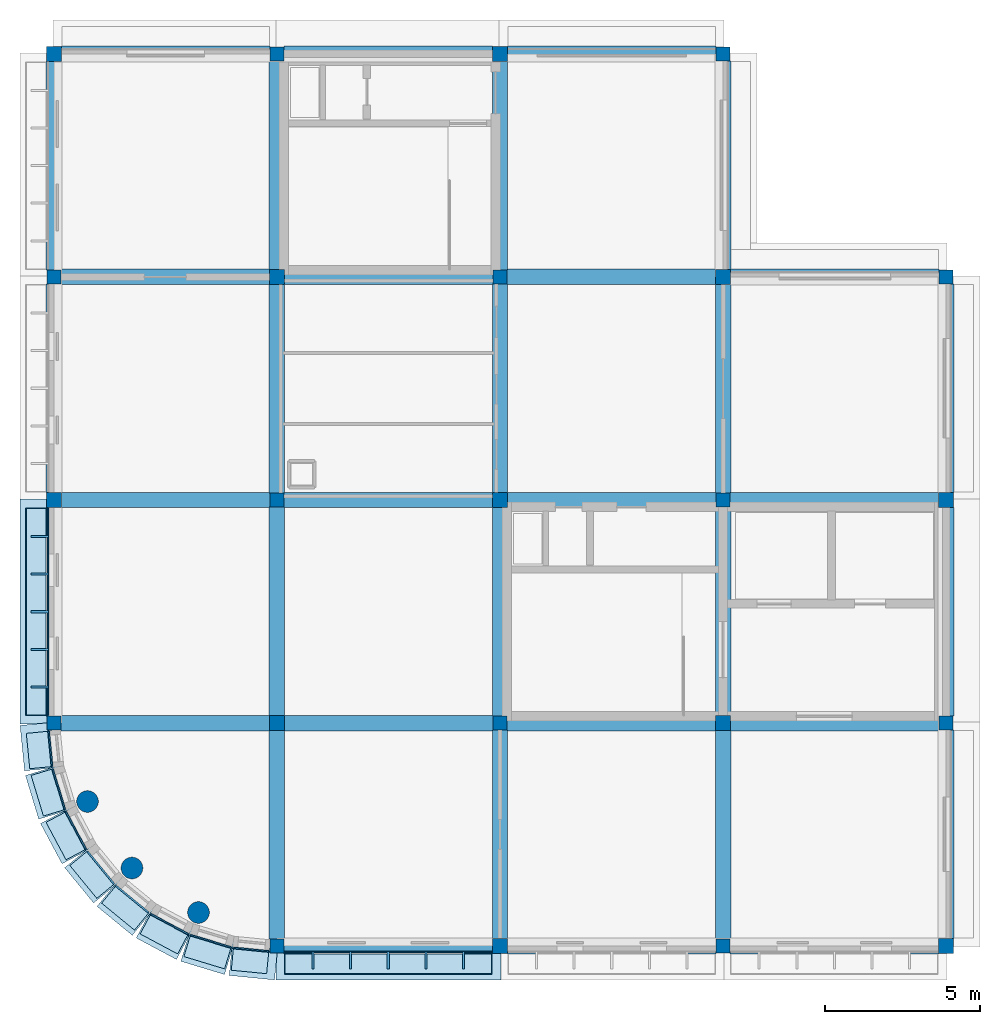
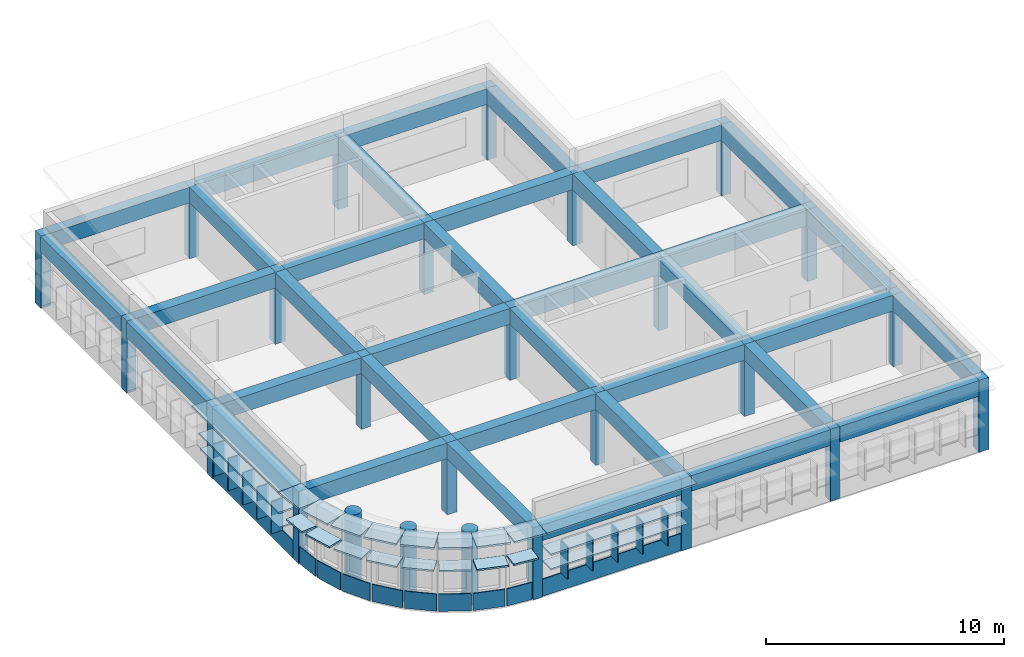
# One storey, part 1 of 6: 42 plates, 36 beams, 26 columns.
"""IFC4 building model written with IfcOpenShell, lengths in metres."""

import ifcopenshell
import ifcopenshell.guid

model = None  # the IFC model being written
_history = None  # IfcOwnerHistory: only IFC2X3 demands one
_inside = {}  # id of a spatial element -> (the spatial element, [elements in it])
_under = {}  # id of a project, library or spatial element -> (it, [spatial elements below it])
_declared = {}  # id of a project -> (the project, [libraries it declares])
_typed = {}  # id of a type object -> (the type object, [elements of that type])
_made_of = {}  # id of a material, layer set ... -> (it, [elements and type objects made of it])


def new_model(schema):
    """Start an empty IFC model of exactly this schema.

    Asked for "IFC4X3", IfcOpenShell would pick the latest addendum, in which some entities
    have other attributes; the version numbers below select the first issue.
    IFC2X3 requires an IfcOwnerHistory on every rooted entity: one is made here for all.
    """
    global model, _history
    if schema == "IFC4X3":
        model = ifcopenshell.file(schema_version=(4, 3, 0, 0))
    else:
        model = ifcopenshell.file(schema=schema)
    _inside.clear()
    _under.clear()
    _declared.clear()
    _typed.clear()
    _made_of.clear()
    _history = None
    if model.schema == "IFC2X3":
        org = make("IfcOrganization", Name="unknown")
        user = make(
            "IfcPersonAndOrganization",
            ThePerson=make("IfcPerson", FamilyName="unknown"),
            TheOrganization=org,
        )
        app = make(
            "IfcApplication",
            ApplicationDeveloper=org,
            Version="unknown",
            ApplicationFullName="unknown",
            ApplicationIdentifier="unknown",
        )
        _history = make(
            "IfcOwnerHistory",
            OwningUser=user,
            OwningApplication=app,
            ChangeAction="ADDED",
            CreationDate=0,
        )
    return model


def make(cls, **values):
    """One entity of the class cls with the attributes given. An attribute that is None is left unset."""
    return model.create_entity(
        cls, **{name: value for name, value in values.items() if value is not None}
    )


def rooted(cls, **values):
    """An entity with a GlobalId (a new one), such as an element, a storey or a relation."""
    return make(cls, GlobalId=ifcopenshell.guid.new(), OwnerHistory=_history, **values)


def si_unit(unit_type, name, prefix=None):
    """IfcSIUnit, for example si_unit("LENGTHUNIT", "METRE", prefix="MILLI")."""
    return make("IfcSIUnit", UnitType=unit_type, Prefix=prefix, Name=name)


def assignment(units):
    """IfcUnitAssignment: the units of a project."""
    return None if units is None else make("IfcUnitAssignment", Units=units)


def point(xyz):
    """IfcCartesianPoint."""
    return None if xyz is None else make("IfcCartesianPoint", Coordinates=xyz)


def direction(xyz):
    """IfcDirection."""
    return None if xyz is None else make("IfcDirection", DirectionRatios=xyz)


def frame(location, z_axis=None, x_axis=None):
    """IfcAxis2Placement3D, a coordinate frame: its origin and axes. An axis left out is left unset."""
    return make(
        "IfcAxis2Placement3D",
        Location=point(location),
        Axis=direction(z_axis),
        RefDirection=direction(x_axis),
    )


def frame_2d(location, x_axis=None):
    """IfcAxis2Placement2D, a coordinate frame in the plane: its origin and x axis."""
    return make(
        "IfcAxis2Placement2D", Location=point(location), RefDirection=direction(x_axis)
    )


def origin():
    """The frame at (0, 0, 0) with its axes left unset."""
    return frame((0.0, 0.0, 0.0))


def origin_2d():
    """The frame at (0, 0) in the plane with its x axis left unset."""
    return frame_2d((0.0, 0.0))


def place(relative_to, where):
    """IfcLocalPlacement: puts the frame where relative to a parent placement (None: the world)."""
    return make(
        "IfcLocalPlacement", PlacementRelTo=relative_to, RelativePlacement=where
    )


def context(
    kind, dimensions, precision=None, world=None, true_north=None, identifier=None
):
    """IfcGeometricRepresentationContext, for example the 3D "Model" context."""
    return make(
        "IfcGeometricRepresentationContext",
        ContextIdentifier=identifier,
        ContextType=kind,
        CoordinateSpaceDimension=dimensions,
        Precision=precision,
        WorldCoordinateSystem=world,
        TrueNorth=true_north,
    )


def subcontext(parent, identifier, kind, view, scale=None):
    """IfcGeometricRepresentationSubContext, for example "Body" below "Model"."""
    return make(
        "IfcGeometricRepresentationSubContext",
        ContextIdentifier=identifier,
        ContextType=kind,
        ParentContext=parent,
        TargetScale=scale,
        TargetView=view,
    )


def project(units=None, contexts=None):
    """IfcProject with its units and contexts."""
    return rooted(
        "IfcProject",
        Name="project",
        RepresentationContexts=contexts,
        UnitsInContext=assignment(units),
    )


def spatial(cls, under=None, at=None, **own):
    """A site, building, storey or space (cls), placed at a placement, below another one or the project."""
    s = rooted(cls, ObjectPlacement=at, **own)
    if under is not None:
        _under.setdefault(under.id(), (under, []))[1].append(s)
    return s


def profile(cls, at=None, kind="AREA", **sizes):
    """A parametric profile (cls). Its sizes go by their IFC names, for example OverallWidth=200.0."""
    return make(cls, ProfileType=kind, Position=at, **sizes)


def rectangle(**sizes):
    """IfcRectangleProfileDef."""
    return profile("IfcRectangleProfileDef", **sizes)


def circle(**sizes):
    """IfcCircleProfileDef."""
    return profile("IfcCircleProfileDef", **sizes)


def extrude(swept, where, along, depth):
    """IfcExtrudedAreaSolid: the profile swept, set in the frame where, extruded along a direction by depth."""
    return make(
        "IfcExtrudedAreaSolid",
        SweptArea=swept,
        Position=where,
        ExtrudedDirection=direction(along),
        Depth=depth,
    )


def shape(context_of_items, identifier, shape_type, items):
    """IfcShapeRepresentation: the items that make up one representation, for example the "Body"."""
    return make(
        "IfcShapeRepresentation",
        ContextOfItems=context_of_items,
        RepresentationIdentifier=identifier,
        RepresentationType=shape_type,
        Items=items,
    )


def material(Name=None, Category=None):
    """IfcMaterial."""
    return make("IfcMaterial", Name=Name, Category=Category)


def layer(
    of_material, thickness, ventilated=None, Name=None, Category=None, Priority=None
):
    """IfcMaterialLayer: one layer of a wall or slab, of a material (None: an air gap)."""
    return make(
        "IfcMaterialLayer",
        Material=of_material,
        LayerThickness=thickness,
        IsVentilated=ventilated,
        Name=Name,
        Category=Category,
        Priority=Priority,
    )


def layer_set(layers, Name=None):
    """IfcMaterialLayerSet."""
    return make("IfcMaterialLayerSet", MaterialLayers=layers, LayerSetName=Name)


def material_profile(
    of_material, cross_section, Name=None, Category=None, Priority=None
):
    """IfcMaterialProfile: a cross section and its material."""
    return make(
        "IfcMaterialProfile",
        Name=Name,
        Material=of_material,
        Profile=cross_section,
        Priority=Priority,
        Category=Category,
    )


def profile_set(profiles, Name=None, composite=None):
    """IfcMaterialProfileSet."""
    return make(
        "IfcMaterialProfileSet",
        Name=Name,
        MaterialProfiles=profiles,
        CompositeProfile=composite,
    )


def made_of(thing, what):
    """Note that an element or type object is made of a material, layer set ...; save() writes the relation."""
    if what is not None:
        _made_of.setdefault(what.id(), (what, []))[1].append(thing)
    return thing


def type_object(cls, material=None, **own):
    """A type object (cls), such as IfcWallType, which elements share."""
    return made_of(rooted(cls, **own), material)


def element(
    cls,
    number,
    at=None,
    inside=None,
    cuts=None,
    type_object=None,
    material=None,
    context=None,
    identifier="Body",
    shape_type=None,
    held_by="IfcProductDefinitionShape",
    body=None,
    shapes=None,
    **own,
):
    """One element of the class cls, such as IfcWall. Its Tag is "e" and its number.

    at: its placement. inside: the storey or other place that contains it. cuts: it is an
    opening in that element (IfcRelVoidsElement). A single representation is given by context,
    identifier, shape_type and body (its items); several are given by shapes. held_by: the class
    of the entity that holds the representations. save() writes the other relations.
    """
    e = rooted(cls, Tag="e%d" % number, ObjectPlacement=at, **own)
    if body is not None:
        shapes = [shape(context, identifier, shape_type, body)]
    if shapes is not None:
        e.Representation = make(held_by, Representations=shapes)
    if inside is not None:
        _inside.setdefault(inside.id(), (inside, []))[1].append(e)
    if cuts is not None:
        rooted(
            "IfcRelVoidsElement", RelatingBuildingElement=cuts, RelatedOpeningElement=e
        )
    if type_object is not None:
        _typed.setdefault(type_object.id(), (type_object, []))[1].append(e)
    return made_of(e, material)


def aggregate(whole, parts):
    """IfcRelAggregates: a whole, such as a stair, and the parts it consists of."""
    return rooted("IfcRelAggregates", RelatingObject=whole, RelatedObjects=parts)


def save(model, path):
    """Write the relations noted so far, then the file.

    IfcRelAggregates (storeys below a building ...), IfcRelContainedInSpatialStructure (elements
    in a storey), IfcRelDefinesByType, IfcRelAssociatesMaterial and IfcRelDeclares: one each for
    every whole, place, type object, material and project.
    """
    for whole, parts in _under.values():
        aggregate(whole, parts)
    for where, things in _inside.values():
        rooted(
            "IfcRelContainedInSpatialStructure",
            RelatedElements=things,
            RelatingStructure=where,
        )
    for kind, things in _typed.values():
        rooted("IfcRelDefinesByType", RelatedObjects=things, RelatingType=kind)
    for what, things in _made_of.values():
        rooted("IfcRelAssociatesMaterial", RelatedObjects=things, RelatingMaterial=what)
    for by, libraries in _declared.values():
        rooted("IfcRelDeclares", RelatingContext=by, RelatedDefinitions=libraries)
    model.write(path)


model = new_model("IFC4")

# Units and contexts
model_context = context("Model", 3, precision=1e-05, world=origin(), true_north=direction((0.0, 1.0)))
body_context = subcontext(model_context, "Body", "Model", "MODEL_VIEW")
ifc_project = project(units=[si_unit("LENGTHUNIT", "METRE"), si_unit("AREAUNIT", "SQUARE_METRE"), si_unit("VOLUMEUNIT", "CUBIC_METRE"), si_unit("PLANEANGLEUNIT", "RADIAN"), si_unit("MASSUNIT", "GRAM", prefix="KILO")], contexts=[model_context])

# Site, building, storey
site_placement = place(None, origin())
site = spatial("IfcSite", under=ifc_project, at=site_placement, CompositionType="ELEMENT")
building_placement = place(site_placement, origin())
building = spatial("IfcBuilding", under=site, at=building_placement, Name="Thalmaran Polytechnic", CompositionType="ELEMENT")
storey_placement = place(building_placement, frame((0.0, 0.0, 34.5)))
storey = spatial("IfcBuildingStorey", under=building, at=storey_placement, Name="L08", CompositionType="ELEMENT", Elevation=34.5)

# Columns
ifc_material_1 = material(Name="Concrete C40/50", Category="concrete")
ifc_material_profile_1 = material_profile(ifc_material_1, rectangle(XDim=0.449951171875, YDim=0.449951171875, at=origin_2d()), Name="RC 450x450")
ifc_profile_set_1 = profile_set([ifc_material_profile_1], Name="Concrete C40/50")
column_type_1 = type_object("IfcColumnType", Name="COL-C10", PredefinedType="COLUMN", material=ifc_profile_set_1)
for number, where, z_axis, x_axis, name in (
    (1, (0.0, 7.199951171875, 0.0), (0.0, 0.0, 1.0), (1.0, 0.0, 0.0), "Column C10 L08 (0,1)"),
    (2, (0.0, 21.60009765625, 0.0), (0.0, 0.0, 1.0), (1.0, 0.0, 0.0), "Column C10 L08 (0,3)"),
    (3, (7.199951171875, 0.0, 0.0), (0.0, 0.0, 1.0), (1.0, 0.0, 0.0), "Column C10 L08 (1,0)"),
    (4, (7.199951171875, 14.39990234375, 0.0), (0.0, 0.0, 1.0), (1.0, 0.0, 0.0), "Column C10 L08 (1,2)"),
    (5, (7.199951171875, 28.800048828125, 0.0), (0.0, 0.0, 1.0), (1.0, 0.0, 0.0), "Column C10 L08 (1,4)"),
    (6, (14.39990234375, 7.199951171875, 0.0), (0.0, 0.0, 1.0), (1.0, 0.0, 0.0), "Column C10 L08 (2,1)"),
    (7, (14.39990234375, 21.60009765625, 0.0), (0.0, 0.0, 1.0), (1.0, 0.0, 0.0), "Column C10 L08 (2,3)"),
    (8, (21.60009765625, 0.0, 0.0), (0.0, 0.0, 1.0), (1.0, 0.0, 0.0), "Column C10 L08 (3,0)"),
    (9, (21.60009765625, 14.39990234375, 0.0), (0.0, 0.0, 1.0), (1.0, 0.0, 0.0), "Column C10 L08 (3,2)"),
    (10, (21.60009765625, 28.800048828125, 0.0), (0.0, 0.0, 1.0), (1.0, 0.0, 0.0), "Column C10 L08 (3,4)"),
    (11, (28.800048828125, 7.199951171875, 0.0), (0.0, 0.0, 1.0), (1.0, 0.0, 0.0), "Column C10 L08 (4,1)"),
    (12, (28.800048828125, 21.60009765625, 0.0), (0.0, 0.0, 1.0), (1.0, 0.0, 0.0), "Column C10 L08 (4,3)"),
):
    element("IfcColumn", number, at=place(storey_placement, frame(where, z_axis=z_axis, x_axis=x_axis)), inside=storey, type_object=column_type_1, Name=name, PredefinedType="COLUMN", context=body_context, shape_type="SweptSolid", body=[
        extrude(rectangle(XDim=0.449951171875, YDim=0.449951171875, at=origin_2d()), origin(), (0.0, 0.0, 1.0), 3.695068359375),
    ])
ifc_material_profile_2 = material_profile(ifc_material_1, circle(Radius=0.35009765625, at=origin_2d()), Name="RC 700 DIA")
ifc_profile_set_2 = profile_set([ifc_material_profile_2], Name="Concrete C40/50")
column_type_2 = type_object("IfcColumnType", Name="COL-C15", PredefinedType="COLUMN", material=ifc_profile_set_2)
for number, where, z_axis, x_axis, name in (
    (13, (1.083984375, 4.666748046875, 0.0), (0.0, 0.0, 1.0), (1.0, 0.0, 0.0), "Prow Column SWP1 L08"),
    (14, (2.51904296875, 2.51904296875, 0.0), (0.0, 0.0, 1.0), (1.0, 0.0, 0.0), "Prow Column SWP2 L08"),
    (15, (4.666748046875, 1.083984375, 0.0), (0.0, 0.0, 1.0), (1.0, 0.0, 0.0), "Prow Column SWP3 L08"),
):
    element("IfcColumn", number, at=place(storey_placement, frame(where, z_axis=z_axis, x_axis=x_axis)), inside=storey, type_object=column_type_2, Name=name, PredefinedType="COLUMN", context=body_context, shape_type="SweptSolid", body=[
        extrude(circle(Radius=0.35009765625, at=origin_2d()), origin(), (0.0, 0.0, 1.0), 3.695068359375),
    ])
ifc_material_profile_3 = material_profile(ifc_material_1, rectangle(XDim=0.47998046875, YDim=0.47998046875, at=origin_2d()), Name="RC 480x480")
ifc_profile_set_3 = profile_set([ifc_material_profile_3], Name="Concrete C40/50")
column_type_3 = type_object("IfcColumnType", Name="COL-ZC09", PredefinedType="COLUMN", material=ifc_profile_set_3)
for number, where, z_axis, x_axis, name in (
    (16, (0.0, 14.39990234375, 0.0), (0.0, 0.0, 1.0), (1.0, 0.0, 0.0), "Column ZC09 L08 (0,2)"),
    (17, (0.0, 28.800048828125, 0.0), (0.0, 0.0, 1.0), (1.0, 0.0, 0.0), "Column ZC09 L08 (0,4)"),
    (18, (7.199951171875, 7.199951171875, 0.0), (0.0, 0.0, 1.0), (1.0, 0.0, 0.0), "Column ZC09 L08 (1,1)"),
    (19, (7.199951171875, 21.60009765625, 0.0), (0.0, 0.0, 1.0), (1.0, 0.0, 0.0), "Column ZC09 L08 (1,3)"),
    (20, (14.39990234375, 0.0, 0.0), (0.0, 0.0, 1.0), (1.0, 0.0, 0.0), "Column ZC09 L08 (2,0)"),
    (21, (14.39990234375, 14.39990234375, 0.0), (0.0, 0.0, 1.0), (1.0, 0.0, 0.0), "Column ZC09 L08 (2,2)"),
    (22, (14.39990234375, 28.800048828125, 0.0), (0.0, 0.0, 1.0), (1.0, 0.0, 0.0), "Column ZC09 L08 (2,4)"),
    (23, (21.60009765625, 7.199951171875, 0.0), (0.0, 0.0, 1.0), (1.0, 0.0, 0.0), "Column ZC09 L08 (3,1)"),
    (24, (21.60009765625, 21.60009765625, 0.0), (0.0, 0.0, 1.0), (1.0, 0.0, 0.0), "Column ZC09 L08 (3,3)"),
    (25, (28.800048828125, 0.0, 0.0), (0.0, 0.0, 1.0), (1.0, 0.0, 0.0), "Column ZC09 L08 (4,0)"),
    (26, (28.800048828125, 14.39990234375, 0.0), (0.0, 0.0, 1.0), (1.0, 0.0, 0.0), "Column ZC09 L08 (4,2)"),
):
    element("IfcColumn", number, at=place(storey_placement, frame(where, z_axis=z_axis, x_axis=x_axis)), inside=storey, type_object=column_type_3, Name=name, PredefinedType="COLUMN", context=body_context, shape_type="SweptSolid", body=[
        extrude(rectangle(XDim=0.47998046875, YDim=0.47998046875, at=origin_2d()), origin(), (0.0, 0.0, 1.0), 3.695068359375),
    ])

# Beams
ifc_material_profile_4 = material_profile(ifc_material_1, rectangle(XDim=0.5, YDim=0.804931640625, at=origin_2d()), Name="RC 500x805")
ifc_profile_set_4 = profile_set([ifc_material_profile_4], Name="Concrete C40/50")
beam_type = type_object("IfcBeamType", Name="BM-SP03", PredefinedType="SPANDREL", material=ifc_profile_set_4)
for number, where, z_axis, x_axis, name in (
    (27, (0.22509765625, 7.199951171875, 3.29248046875), (1.0, 0.0, 0.0), (0.0, 1.0, 0.0), "Belvedere Roof Beam X(0,1)"),
    (28, (0.0, 7.425048828125, 3.29248046875), (0.0, 1.0, 0.0), (-1.0, 0.0, 0.0), "Belvedere Roof Beam Y(0,1)"),
):
    element("IfcBeam", number, at=place(storey_placement, frame(where, z_axis=z_axis, x_axis=x_axis)), inside=storey, type_object=beam_type, Name=name, PredefinedType="SPANDREL", context=body_context, shape_type="SweptSolid", body=[
        extrude(rectangle(XDim=0.5, YDim=0.804931640625, at=origin_2d()), origin(), (0.0, 0.0, 1.0), 6.73486328125),
    ])
for number, where, z_axis, x_axis, name in (
    (29, (0.239990234375, 14.39990234375, 3.29248046875), (1.0, 0.0, 0.0), (0.0, 1.0, 0.0), "Belvedere Roof Beam X(0,2)"),
    (30, (0.0, 14.639892578125, 3.29248046875), (0.0, 1.0, 0.0), (-1.0, 0.0, 0.0), "Belvedere Roof Beam Y(0,2)"),
):
    element("IfcBeam", number, at=place(storey_placement, frame(where, z_axis=z_axis, x_axis=x_axis)), inside=storey, type_object=beam_type, Name=name, PredefinedType="SPANDREL", context=body_context, shape_type="SweptSolid", body=[
        extrude(rectangle(XDim=0.5, YDim=0.804931640625, at=origin_2d()), origin(), (0.0, 0.0, 1.0), 6.735107421875),
    ])
beam_1_placement = place(storey_placement, frame((0.22509765625, 21.60009765625, 3.29248046875), z_axis=(1.0, 0.0, 0.0), x_axis=(0.0, 1.0, 0.0)))
element("IfcBeam", 31, at=beam_1_placement, inside=storey, type_object=beam_type, Name="Belvedere Roof Beam X(0,3)", PredefinedType="SPANDREL", context=body_context, shape_type="SweptSolid", body=[
    extrude(rectangle(XDim=0.5, YDim=0.804931640625, at=origin_2d()), origin(), (0.0, 0.0, 1.0), 6.73486328125),
])
for number, where, z_axis, x_axis, name in (
    (32, (0.0, 21.824951171875, 3.29248046875), (0.0, 1.0, 0.0), (-1.0, 0.0, 0.0), "Belvedere Roof Beam Y(0,3)"),
    (33, (0.239990234375, 28.800048828125, 3.29248046875), (1.0, 0.0, 0.0), (0.0, 1.0, 0.0), "Belvedere Roof Beam X(0,4)"),
):
    element("IfcBeam", number, at=place(storey_placement, frame(where, z_axis=z_axis, x_axis=x_axis)), inside=storey, type_object=beam_type, Name=name, PredefinedType="SPANDREL", context=body_context, shape_type="SweptSolid", body=[
        extrude(rectangle(XDim=0.5, YDim=0.804931640625, at=origin_2d()), origin(), (0.0, 0.0, 1.0), 6.735107421875),
    ])
for number, where, z_axis, x_axis, name in (
    (34, (7.425048828125, 0.0, 3.29248046875), (1.0, 0.0, 0.0), (0.0, 1.0, 0.0), "Belvedere Roof Beam X(1,0)"),
    (35, (7.199951171875, 0.22509765625, 3.29248046875), (0.0, 1.0, 0.0), (-1.0, 0.0, 0.0), "Belvedere Roof Beam Y(1,0)"),
):
    element("IfcBeam", number, at=place(storey_placement, frame(where, z_axis=z_axis, x_axis=x_axis)), inside=storey, type_object=beam_type, Name=name, PredefinedType="SPANDREL", context=body_context, shape_type="SweptSolid", body=[
        extrude(rectangle(XDim=0.5, YDim=0.804931640625, at=origin_2d()), origin(), (0.0, 0.0, 1.0), 6.73486328125),
    ])
for number, where, z_axis, x_axis, name in (
    (36, (7.43994140625, 7.199951171875, 3.29248046875), (1.0, 0.0, 0.0), (0.0, 1.0, 0.0), "Belvedere Roof Beam X(1,1)"),
    (37, (7.199951171875, 7.43994140625, 3.29248046875), (0.0, 1.0, 0.0), (-1.0, 0.0, 0.0), "Belvedere Roof Beam Y(1,1)"),
):
    element("IfcBeam", number, at=place(storey_placement, frame(where, z_axis=z_axis, x_axis=x_axis)), inside=storey, type_object=beam_type, Name=name, PredefinedType="SPANDREL", context=body_context, shape_type="SweptSolid", body=[
        extrude(rectangle(XDim=0.5, YDim=0.804931640625, at=origin_2d()), origin(), (0.0, 0.0, 1.0), 6.735107421875),
    ])
beam_2_placement = place(storey_placement, frame((7.425048828125, 14.39990234375, 3.29248046875), z_axis=(1.0, 0.0, 0.0), x_axis=(0.0, 1.0, 0.0)))
element("IfcBeam", 38, at=beam_2_placement, inside=storey, type_object=beam_type, Name="Belvedere Roof Beam X(1,2)", PredefinedType="SPANDREL", context=body_context, shape_type="SweptSolid", body=[
    extrude(rectangle(XDim=0.5, YDim=0.804931640625, at=origin_2d()), origin(), (0.0, 0.0, 1.0), 6.73486328125),
])
for number, where, z_axis, x_axis, name in (
    (39, (7.199951171875, 14.625, 3.29248046875), (0.0, 1.0, 0.0), (-1.0, 0.0, 0.0), "Belvedere Roof Beam Y(1,2)"),
    (40, (7.43994140625, 21.60009765625, 3.29248046875), (1.0, 0.0, 0.0), (0.0, 1.0, 0.0), "Belvedere Roof Beam X(1,3)"),
):
    element("IfcBeam", number, at=place(storey_placement, frame(where, z_axis=z_axis, x_axis=x_axis)), inside=storey, type_object=beam_type, Name=name, PredefinedType="SPANDREL", context=body_context, shape_type="SweptSolid", body=[
        extrude(rectangle(XDim=0.5, YDim=0.804931640625, at=origin_2d()), origin(), (0.0, 0.0, 1.0), 6.735107421875),
    ])
for number, where, z_axis, x_axis, name in (
    (41, (7.199951171875, 21.840087890625, 3.29248046875), (0.0, 1.0, 0.0), (-1.0, 0.0, 0.0), "Belvedere Roof Beam Y(1,3)"),
    (42, (7.425048828125, 28.800048828125, 3.29248046875), (1.0, 0.0, 0.0), (0.0, 1.0, 0.0), "Belvedere Roof Beam X(1,4)"),
):
    element("IfcBeam", number, at=place(storey_placement, frame(where, z_axis=z_axis, x_axis=x_axis)), inside=storey, type_object=beam_type, Name=name, PredefinedType="SPANDREL", context=body_context, shape_type="SweptSolid", body=[
        extrude(rectangle(XDim=0.5, YDim=0.804931640625, at=origin_2d()), origin(), (0.0, 0.0, 1.0), 6.73486328125),
    ])
for number, where, z_axis, x_axis, name in (
    (43, (14.639892578125, 0.0, 3.29248046875), (1.0, 0.0, 0.0), (0.0, 1.0, 0.0), "Belvedere Roof Beam X(2,0)"),
    (44, (14.39990234375, 0.239990234375, 3.29248046875), (0.0, 1.0, 0.0), (-1.0, 0.0, 0.0), "Belvedere Roof Beam Y(2,0)"),
    (45, (14.625, 7.199951171875, 3.29248046875), (1.0, 0.0, 0.0), (0.0, 1.0, 0.0), "Belvedere Roof Beam X(2,1)"),
):
    element("IfcBeam", number, at=place(storey_placement, frame(where, z_axis=z_axis, x_axis=x_axis)), inside=storey, type_object=beam_type, Name=name, PredefinedType="SPANDREL", context=body_context, shape_type="SweptSolid", body=[
        extrude(rectangle(XDim=0.5, YDim=0.804931640625, at=origin_2d()), origin(), (0.0, 0.0, 1.0), 6.735107421875),
    ])
beam_3_placement = place(storey_placement, frame((14.39990234375, 7.425048828125, 3.29248046875), z_axis=(0.0, 1.0, 0.0), x_axis=(-1.0, 0.0, 0.0)))
element("IfcBeam", 46, at=beam_3_placement, inside=storey, type_object=beam_type, Name="Belvedere Roof Beam Y(2,1)", PredefinedType="SPANDREL", context=body_context, shape_type="SweptSolid", body=[
    extrude(rectangle(XDim=0.5, YDim=0.804931640625, at=origin_2d()), origin(), (0.0, 0.0, 1.0), 6.73486328125),
])
for number, where, z_axis, x_axis, name in (
    (47, (14.639892578125, 14.39990234375, 3.29248046875), (1.0, 0.0, 0.0), (0.0, 1.0, 0.0), "Belvedere Roof Beam X(2,2)"),
    (48, (14.39990234375, 14.639892578125, 3.29248046875), (0.0, 1.0, 0.0), (-1.0, 0.0, 0.0), "Belvedere Roof Beam Y(2,2)"),
    (49, (14.625, 21.60009765625, 3.29248046875), (1.0, 0.0, 0.0), (0.0, 1.0, 0.0), "Belvedere Roof Beam X(2,3)"),
    (50, (14.39990234375, 21.824951171875, 3.29248046875), (0.0, 1.0, 0.0), (-1.0, 0.0, 0.0), "Belvedere Roof Beam Y(2,3)"),
    (51, (14.639892578125, 28.800048828125, 3.29248046875), (1.0, 0.0, 0.0), (0.0, 1.0, 0.0), "Belvedere Roof Beam X(2,4)"),
    (52, (21.824951171875, 0.0, 3.29248046875), (1.0, 0.0, 0.0), (0.0, 1.0, 0.0), "Belvedere Roof Beam X(3,0)"),
):
    element("IfcBeam", number, at=place(storey_placement, frame(where, z_axis=z_axis, x_axis=x_axis)), inside=storey, type_object=beam_type, Name=name, PredefinedType="SPANDREL", context=body_context, shape_type="SweptSolid", body=[
        extrude(rectangle(XDim=0.5, YDim=0.804931640625, at=origin_2d()), origin(), (0.0, 0.0, 1.0), 6.735107421875),
    ])
for number, where, z_axis, x_axis, name in (
    (53, (21.60009765625, 0.22509765625, 3.29248046875), (0.0, 1.0, 0.0), (-1.0, 0.0, 0.0), "Belvedere Roof Beam Y(3,0)"),
    (54, (21.840087890625, 7.199951171875, 3.29248046875), (1.0, 0.0, 0.0), (0.0, 1.0, 0.0), "Belvedere Roof Beam X(3,1)"),
):
    element("IfcBeam", number, at=place(storey_placement, frame(where, z_axis=z_axis, x_axis=x_axis)), inside=storey, type_object=beam_type, Name=name, PredefinedType="SPANDREL", context=body_context, shape_type="SweptSolid", body=[
        extrude(rectangle(XDim=0.5, YDim=0.804931640625, at=origin_2d()), origin(), (0.0, 0.0, 1.0), 6.73486328125),
    ])
for number, where, z_axis, x_axis, name in (
    (55, (21.60009765625, 7.43994140625, 3.29248046875), (0.0, 1.0, 0.0), (-1.0, 0.0, 0.0), "Belvedere Roof Beam Y(3,1)"),
    (56, (21.824951171875, 14.39990234375, 3.29248046875), (1.0, 0.0, 0.0), (0.0, 1.0, 0.0), "Belvedere Roof Beam X(3,2)"),
    (57, (21.60009765625, 14.625, 3.29248046875), (0.0, 1.0, 0.0), (-1.0, 0.0, 0.0), "Belvedere Roof Beam Y(3,2)"),
):
    element("IfcBeam", number, at=place(storey_placement, frame(where, z_axis=z_axis, x_axis=x_axis)), inside=storey, type_object=beam_type, Name=name, PredefinedType="SPANDREL", context=body_context, shape_type="SweptSolid", body=[
        extrude(rectangle(XDim=0.5, YDim=0.804931640625, at=origin_2d()), origin(), (0.0, 0.0, 1.0), 6.735107421875),
    ])
for number, where, z_axis, x_axis, name in (
    (58, (21.840087890625, 21.60009765625, 3.29248046875), (1.0, 0.0, 0.0), (0.0, 1.0, 0.0), "Belvedere Roof Beam X(3,3)"),
    (59, (21.60009765625, 21.840087890625, 3.29248046875), (0.0, 1.0, 0.0), (-1.0, 0.0, 0.0), "Belvedere Roof Beam Y(3,3)"),
):
    element("IfcBeam", number, at=place(storey_placement, frame(where, z_axis=z_axis, x_axis=x_axis)), inside=storey, type_object=beam_type, Name=name, PredefinedType="SPANDREL", context=body_context, shape_type="SweptSolid", body=[
        extrude(rectangle(XDim=0.5, YDim=0.804931640625, at=origin_2d()), origin(), (0.0, 0.0, 1.0), 6.73486328125),
    ])
beam_4_placement = place(storey_placement, frame((28.800048828125, 0.239990234375, 3.29248046875), z_axis=(0.0, 1.0, 0.0), x_axis=(-1.0, 0.0, 0.0)))
element("IfcBeam", 60, at=beam_4_placement, inside=storey, type_object=beam_type, Name="Belvedere Roof Beam Y(4,0)", PredefinedType="SPANDREL", context=body_context, shape_type="SweptSolid", body=[
    extrude(rectangle(XDim=0.5, YDim=0.804931640625, at=origin_2d()), origin(), (0.0, 0.0, 1.0), 6.735107421875),
])
beam_5_placement = place(storey_placement, frame((28.800048828125, 7.425048828125, 3.29248046875), z_axis=(0.0, 1.0, 0.0), x_axis=(-1.0, 0.0, 0.0)))
element("IfcBeam", 61, at=beam_5_placement, inside=storey, type_object=beam_type, Name="Belvedere Roof Beam Y(4,1)", PredefinedType="SPANDREL", context=body_context, shape_type="SweptSolid", body=[
    extrude(rectangle(XDim=0.5, YDim=0.804931640625, at=origin_2d()), origin(), (0.0, 0.0, 1.0), 6.73486328125),
])
beam_6_placement = place(storey_placement, frame((28.800048828125, 14.639892578125, 3.29248046875), z_axis=(0.0, 1.0, 0.0), x_axis=(-1.0, 0.0, 0.0)))
element("IfcBeam", 62, at=beam_6_placement, inside=storey, type_object=beam_type, Name="Belvedere Roof Beam Y(4,2)", PredefinedType="SPANDREL", context=body_context, shape_type="SweptSolid", body=[
    extrude(rectangle(XDim=0.5, YDim=0.804931640625, at=origin_2d()), origin(), (0.0, 0.0, 1.0), 6.735107421875),
])

# Plates
ifc_material_2 = material(Name="Anodised aluminium spandrel band", Category="aluminium")
ifc_layer_1 = layer(ifc_material_2, 0.054931640625, Name="Anodised aluminium spandrel band")
ifc_layer_set_1 = layer_set([ifc_layer_1], Name="Anodised aluminium spandrel band")
plate_type_1 = type_object("IfcPlateType", Name="PT-BD01", PredefinedType="SHEET", material=ifc_layer_set_1)
for number, where, z_axis, x_axis, name in (
    (63, (2.53076171875, 1.510498046875, 0.02001953125), (0.0, 0.0, 1.0), (-0.773010453363, 0.634393284164, 0.0), "Streamline Horizontal Spandrel Band L08-001"),
    (64, (1.510498046875, 2.53076171875, 0.02001953125), (0.0, 0.0, 1.0), (-0.634393284164, 0.773010453363, 0.0), "Streamline Horizontal Spandrel Band L08-002"),
    (65, (0.708740234375, 3.73046875, 0.02001953125), (0.0, 0.0, 1.0), (-0.471396736826, 0.881921264348, 0.0), "Streamline Horizontal Spandrel Band L08-003"),
    (66, (0.156494140625, 5.0634765625, 0.02001953125), (0.0, 0.0, 1.0), (-0.290284677254, 0.956940335732, 0.0), "Streamline Horizontal Spandrel Band L08-004"),
):
    element("IfcPlate", number, at=place(storey_placement, frame(where, z_axis=z_axis, x_axis=x_axis)), inside=storey, type_object=plate_type_1, Name=name, PredefinedType="SHEET", context=body_context, shape_type="SweptSolid", body=[
        extrude(rectangle(XDim=1.371337890625, YDim=0.054931640625, at=origin_2d()), origin(), (0.0, 0.0, 1.0), 0.8798828125),
    ])
plate_1_placement = place(storey_placement, frame((-0.11376953125, 6.36669921875, 0.02001953125), z_axis=(0.0, 0.0, 1.0), x_axis=(-0.09801714033, 0.995184726672, 0.0)))
element("IfcPlate", 67, at=plate_1_placement, inside=storey, type_object=plate_type_1, Name="Streamline Horizontal Spandrel Band L08-005", PredefinedType="SHEET", context=body_context, shape_type="SweptSolid", body=[
    extrude(rectangle(XDim=1.146484375, YDim=0.054931640625, at=origin_2d()), origin(), (0.0, 0.0, 1.0), 0.8798828125),
])
for number, where, z_axis, x_axis, name in (
    (68, (-0.195068359375, 10.79248046875, 0.02001953125), (0.0, 0.0, 1.0), (0.0, 1.0, 0.0), "Streamline Horizontal Spandrel Band L08-006"),
    (69, (10.79248046875, -0.195068359375, 0.02001953125), (0.0, 0.0, 1.0), (-1.0, 0.0, 0.0), "Streamline Horizontal Spandrel Band L08-019"),
):
    element("IfcPlate", number, at=place(storey_placement, frame(where, z_axis=z_axis, x_axis=x_axis)), inside=storey, type_object=plate_type_1, Name=name, PredefinedType="SHEET", context=body_context, shape_type="SweptSolid", body=[
        extrude(rectangle(XDim=6.695068359375, YDim=0.054931640625, at=origin_2d()), origin(), (0.0, 0.0, 1.0), 0.8798828125),
    ])
plate_2_placement = place(storey_placement, frame((6.36669921875, -0.11376953125, 0.02001953125), z_axis=(0.0, 0.0, 1.0), x_axis=(-0.995184726672, 0.09801714033, 0.0)))
element("IfcPlate", 70, at=plate_2_placement, inside=storey, type_object=plate_type_1, Name="Streamline Horizontal Spandrel Band L08-020", PredefinedType="SHEET", context=body_context, shape_type="SweptSolid", body=[
    extrude(rectangle(XDim=1.146484375, YDim=0.054931640625, at=origin_2d()), origin(), (0.0, 0.0, 1.0), 0.8798828125),
])
for number, where, z_axis, x_axis, name in (
    (71, (5.0634765625, 0.156494140625, 0.02001953125), (0.0, 0.0, 1.0), (-0.956940335732, 0.290284677254, 0.0), "Streamline Horizontal Spandrel Band L08-021"),
    (72, (3.73046875, 0.708740234375, 0.02001953125), (0.0, 0.0, 1.0), (-0.881921264348, 0.471396736826, 0.0), "Streamline Horizontal Spandrel Band L08-022"),
):
    element("IfcPlate", number, at=place(storey_placement, frame(where, z_axis=z_axis, x_axis=x_axis)), inside=storey, type_object=plate_type_1, Name=name, PredefinedType="SHEET", context=body_context, shape_type="SweptSolid", body=[
        extrude(rectangle(XDim=1.371337890625, YDim=0.054931640625, at=origin_2d()), origin(), (0.0, 0.0, 1.0), 0.8798828125),
    ])
ifc_material_3 = material(Name="Anodised aluminium sun-hood eyebrow", Category="aluminium")
ifc_layer_2 = layer(ifc_material_3, 0.0849609375, Name="Anodised aluminium sun-hood eyebrow")
ifc_layer_set_2 = layer_set([ifc_layer_2], Name="Anodised aluminium sun-hood eyebrow")
plate_type_2 = type_object("IfcPlateType", Name="PT-EB01", PredefinedType="SHEET", material=ifc_layer_set_2)
for number, where, z_axis, x_axis, name in (
    (73, (2.311767578125, 1.24365234375, 2.517578125), (0.0, 0.0, 1.0), (-0.773010453363, 0.634393284164, 0.0), "Streamline Sun-Hood Eyebrow L08-001"),
    (74, (1.24365234375, 2.311767578125, 2.517578125), (0.0, 0.0, 1.0), (-0.634393284164, 0.773010453363, 0.0), "Streamline Sun-Hood Eyebrow L08-002"),
    (75, (0.404541015625, 3.567626953125, 2.517578125), (0.0, 0.0, 1.0), (-0.471396736826, 0.881921264348, 0.0), "Streamline Sun-Hood Eyebrow L08-003"),
    (76, (-0.173583984375, 4.96337890625, 2.517578125), (0.0, 0.0, 1.0), (-0.290284677254, 0.956940335732, 0.0), "Streamline Sun-Hood Eyebrow L08-004"),
):
    element("IfcPlate", number, at=place(storey_placement, frame(where, z_axis=z_axis, x_axis=x_axis)), inside=storey, type_object=plate_type_2, Name=name, PredefinedType="SHEET", context=body_context, shape_type="SweptSolid", body=[
        extrude(rectangle(XDim=1.371337890625, YDim=0.760009765625, at=origin_2d()), origin(), (0.0, 0.0, 1.0), 0.0849609375),
    ])
plate_3_placement = place(storey_placement, frame((-0.457275390625, 6.332763671875, 2.517578125), z_axis=(0.0, 0.0, 1.0), x_axis=(-0.09801714033, 0.995184726672, 0.0)))
element("IfcPlate", 77, at=plate_3_placement, inside=storey, type_object=plate_type_2, Name="Streamline Sun-Hood Eyebrow L08-005", PredefinedType="SHEET", context=body_context, shape_type="SweptSolid", body=[
    extrude(rectangle(XDim=1.146484375, YDim=0.760009765625, at=origin_2d()), origin(), (0.0, 0.0, 1.0), 0.0849609375),
])
plate_4_placement = place(storey_placement, frame((-0.5400390625, 10.79248046875, 2.517578125), z_axis=(0.0, 0.0, 1.0), x_axis=(0.0, 1.0, 0.0)))
element("IfcPlate", 78, at=plate_4_placement, inside=storey, type_object=plate_type_2, Name="Streamline Sun-Hood Eyebrow L08-006", PredefinedType="SHEET", context=body_context, shape_type="SweptSolid", body=[
    extrude(rectangle(XDim=6.695068359375, YDim=0.760009765625, at=origin_2d()), origin(), (0.0, 0.0, 1.0), 0.0849609375),
])
plate_5_placement = place(storey_placement, frame((-0.52001953125, 10.79248046875, 1.74267578125), z_axis=(0.0, 0.0, 1.0), x_axis=(0.0, 1.0, 0.0)))
element("IfcPlate", 79, at=plate_5_placement, inside=storey, type_object=plate_type_2, Name="Abu Dhabi Horizontal Solar Louvre L08-006", PredefinedType="SHEET", context=body_context, shape_type="SweptSolid", body=[
    extrude(rectangle(XDim=6.655029296875, YDim=0.719970703125, at=origin_2d()), origin(), (0.0, 0.0, 1.0), 0.074951171875),
])
plate_6_placement = place(storey_placement, frame((10.79248046875, -0.5400390625, 2.517578125), z_axis=(0.0, 0.0, 1.0), x_axis=(-1.0, 0.0, 0.0)))
element("IfcPlate", 80, at=plate_6_placement, inside=storey, type_object=plate_type_2, Name="Streamline Sun-Hood Eyebrow L08-019", PredefinedType="SHEET", context=body_context, shape_type="SweptSolid", body=[
    extrude(rectangle(XDim=6.695068359375, YDim=0.760009765625, at=origin_2d()), origin(), (0.0, 0.0, 1.0), 0.0849609375),
])
plate_7_placement = place(storey_placement, frame((10.79248046875, -0.52001953125, 1.74267578125), z_axis=(0.0, 0.0, 1.0), x_axis=(-1.0, 0.0, 0.0)))
element("IfcPlate", 81, at=plate_7_placement, inside=storey, type_object=plate_type_2, Name="Abu Dhabi Horizontal Solar Louvre L08-019", PredefinedType="SHEET", context=body_context, shape_type="SweptSolid", body=[
    extrude(rectangle(XDim=6.655029296875, YDim=0.719970703125, at=origin_2d()), origin(), (0.0, 0.0, 1.0), 0.074951171875),
])
plate_8_placement = place(storey_placement, frame((6.332763671875, -0.457275390625, 2.517578125), z_axis=(0.0, 0.0, 1.0), x_axis=(-0.995184726672, 0.09801714033, 0.0)))
element("IfcPlate", 82, at=plate_8_placement, inside=storey, type_object=plate_type_2, Name="Streamline Sun-Hood Eyebrow L08-020", PredefinedType="SHEET", context=body_context, shape_type="SweptSolid", body=[
    extrude(rectangle(XDim=1.146484375, YDim=0.760009765625, at=origin_2d()), origin(), (0.0, 0.0, 1.0), 0.0849609375),
])
for number, where, z_axis, x_axis, name in (
    (83, (4.96337890625, -0.173583984375, 2.517578125), (0.0, 0.0, 1.0), (-0.956940335732, 0.290284677254, 0.0), "Streamline Sun-Hood Eyebrow L08-021"),
    (84, (3.567626953125, 0.404541015625, 2.517578125), (0.0, 0.0, 1.0), (-0.881921264348, 0.471396736826, 0.0), "Streamline Sun-Hood Eyebrow L08-022"),
):
    element("IfcPlate", number, at=place(storey_placement, frame(where, z_axis=z_axis, x_axis=x_axis)), inside=storey, type_object=plate_type_2, Name=name, PredefinedType="SHEET", context=body_context, shape_type="SweptSolid", body=[
        extrude(rectangle(XDim=1.371337890625, YDim=0.760009765625, at=origin_2d()), origin(), (0.0, 0.0, 1.0), 0.0849609375),
    ])
ifc_material_4 = material(Name="Anodised bronze brise-soleil fin")
ifc_layer_3 = layer(ifc_material_4, 0.06494140625, Name="Anodised bronze brise-soleil fin")
ifc_layer_set_3 = layer_set([ifc_layer_3], Name="Anodised bronze brise-soleil fin")
plate_type_3 = type_object("IfcPlateType", Name="PT-FN01", PredefinedType="SHEET", material=ifc_layer_set_3)
for number, where, z_axis, x_axis, name in (
    (85, (-0.4599609375, 8.367919921875, 0.89501953125), (0.0, 0.0, 1.0), (0.0, 1.0, 0.0), "Abu Dhabi Solar Brise-Soleil Fin L08-006-1"),
    (86, (-0.4599609375, 9.580078125, 0.89501953125), (0.0, 0.0, 1.0), (0.0, 1.0, 0.0), "Abu Dhabi Solar Brise-Soleil Fin L08-006-2"),
    (87, (-0.4599609375, 10.79248046875, 0.89501953125), (0.0, 0.0, 1.0), (0.0, 1.0, 0.0), "Abu Dhabi Solar Brise-Soleil Fin L08-006-3"),
    (88, (-0.4599609375, 12.0048828125, 0.89501953125), (0.0, 0.0, 1.0), (0.0, 1.0, 0.0), "Abu Dhabi Solar Brise-Soleil Fin L08-006-4"),
    (89, (-0.4599609375, 13.217041015625, 0.89501953125), (0.0, 0.0, 1.0), (0.0, 1.0, 0.0), "Abu Dhabi Solar Brise-Soleil Fin L08-006-5"),
    (90, (13.217041015625, -0.4599609375, 0.89501953125), (0.0, 0.0, 1.0), (-1.0, 0.0, 0.0), "Abu Dhabi Solar Brise-Soleil Fin L08-019-1"),
    (91, (12.0048828125, -0.4599609375, 0.89501953125), (0.0, 0.0, 1.0), (-1.0, 0.0, 0.0), "Abu Dhabi Solar Brise-Soleil Fin L08-019-2"),
    (92, (10.79248046875, -0.4599609375, 0.89501953125), (0.0, 0.0, 1.0), (-1.0, 0.0, 0.0), "Abu Dhabi Solar Brise-Soleil Fin L08-019-3"),
    (93, (9.580078125, -0.4599609375, 0.89501953125), (0.0, 0.0, 1.0), (-1.0, 0.0, 0.0), "Abu Dhabi Solar Brise-Soleil Fin L08-019-4"),
    (94, (8.367919921875, -0.4599609375, 0.89501953125), (0.0, 0.0, 1.0), (-1.0, 0.0, 0.0), "Abu Dhabi Solar Brise-Soleil Fin L08-019-5"),
):
    element("IfcPlate", number, at=place(storey_placement, frame(where, z_axis=z_axis, x_axis=x_axis)), inside=storey, type_object=plate_type_3, Name=name, PredefinedType="SHEET", context=body_context, shape_type="SweptSolid", body=[
        extrude(rectangle(XDim=0.06494140625, YDim=0.56005859375, at=origin_2d()), origin(), (0.0, 0.0, 1.0), 1.64990234375),
    ])
ifc_material_5 = material(Name="Anodised aluminium belvedere visor", Category="aluminium")
ifc_layer_4 = layer(ifc_material_5, 0.094970703125, Name="Anodised aluminium belvedere visor")
ifc_layer_set_4 = layer_set([ifc_layer_4], Name="Anodised aluminium belvedere visor")
plate_type_4 = type_object("IfcPlateType", Name="PT-VS01", PredefinedType="SHEET", material=ifc_layer_set_4)
for number, where, z_axis, x_axis, name in (
    (95, (2.324462890625, 1.25927734375, 3.79248046875), (0.0, 0.0, 1.0), (-0.773010453363, 0.634393284164, 0.0), "Belvedere Aerofoil Roof Visor 001"),
    (96, (1.25927734375, 2.324462890625, 3.79248046875), (0.0, 0.0, 1.0), (-0.634393284164, 0.773010453363, 0.0), "Belvedere Aerofoil Roof Visor 002"),
    (97, (0.422119140625, 3.5771484375, 3.79248046875), (0.0, 0.0, 1.0), (-0.471396736826, 0.881921264348, 0.0), "Belvedere Aerofoil Roof Visor 003"),
    (98, (-0.154296875, 4.968994140625, 3.79248046875), (0.0, 0.0, 1.0), (-0.290284677254, 0.956940335732, 0.0), "Belvedere Aerofoil Roof Visor 004"),
    (99, (-0.4482421875, 6.44677734375, 3.79248046875), (0.0, 0.0, 1.0), (-0.09801714033, 0.995184726672, 0.0), "Belvedere Aerofoil Roof Visor 005"),
):
    element("IfcPlate", number, at=place(storey_placement, frame(where, z_axis=z_axis, x_axis=x_axis)), inside=storey, type_object=plate_type_4, Name=name, PredefinedType="SHEET", context=body_context, shape_type="SweptSolid", body=[
        extrude(rectangle(XDim=1.471435546875, YDim=1.14990234375, at=origin_2d()), origin(), (0.0, 0.0, 1.0), 0.094970703125),
    ])
for number, where, z_axis, x_axis, name in (
    (100, (-0.52001953125, 10.800048828125, 3.79248046875), (0.0, 0.0, 1.0), (0.0, 1.0, 0.0), "Belvedere Aerofoil Roof Visor 006"),
    (101, (10.800048828125, -0.52001953125, 3.79248046875), (0.0, 0.0, 1.0), (-1.0, 0.0, 0.0), "Belvedere Aerofoil Roof Visor 019"),
):
    element("IfcPlate", number, at=place(storey_placement, frame(where, z_axis=z_axis, x_axis=x_axis)), inside=storey, type_object=plate_type_4, Name=name, PredefinedType="SHEET", context=body_context, shape_type="SweptSolid", body=[
        extrude(rectangle(XDim=7.260009765625, YDim=1.14990234375, at=origin_2d()), origin(), (0.0, 0.0, 1.0), 0.094970703125),
    ])
for number, where, z_axis, x_axis, name in (
    (102, (6.44677734375, -0.4482421875, 3.79248046875), (0.0, 0.0, 1.0), (-0.995184726672, 0.09801714033, 0.0), "Belvedere Aerofoil Roof Visor 020"),
    (103, (4.968994140625, -0.154296875, 3.79248046875), (0.0, 0.0, 1.0), (-0.956940335732, 0.290284677254, 0.0), "Belvedere Aerofoil Roof Visor 021"),
    (104, (3.5771484375, 0.422119140625, 3.79248046875), (0.0, 0.0, 1.0), (-0.881921264348, 0.471396736826, 0.0), "Belvedere Aerofoil Roof Visor 022"),
):
    element("IfcPlate", number, at=place(storey_placement, frame(where, z_axis=z_axis, x_axis=x_axis)), inside=storey, type_object=plate_type_4, Name=name, PredefinedType="SHEET", context=body_context, shape_type="SweptSolid", body=[
        extrude(rectangle(XDim=1.471435546875, YDim=1.14990234375, at=origin_2d()), origin(), (0.0, 0.0, 1.0), 0.094970703125),
    ])

save(model, "model.ifc")
